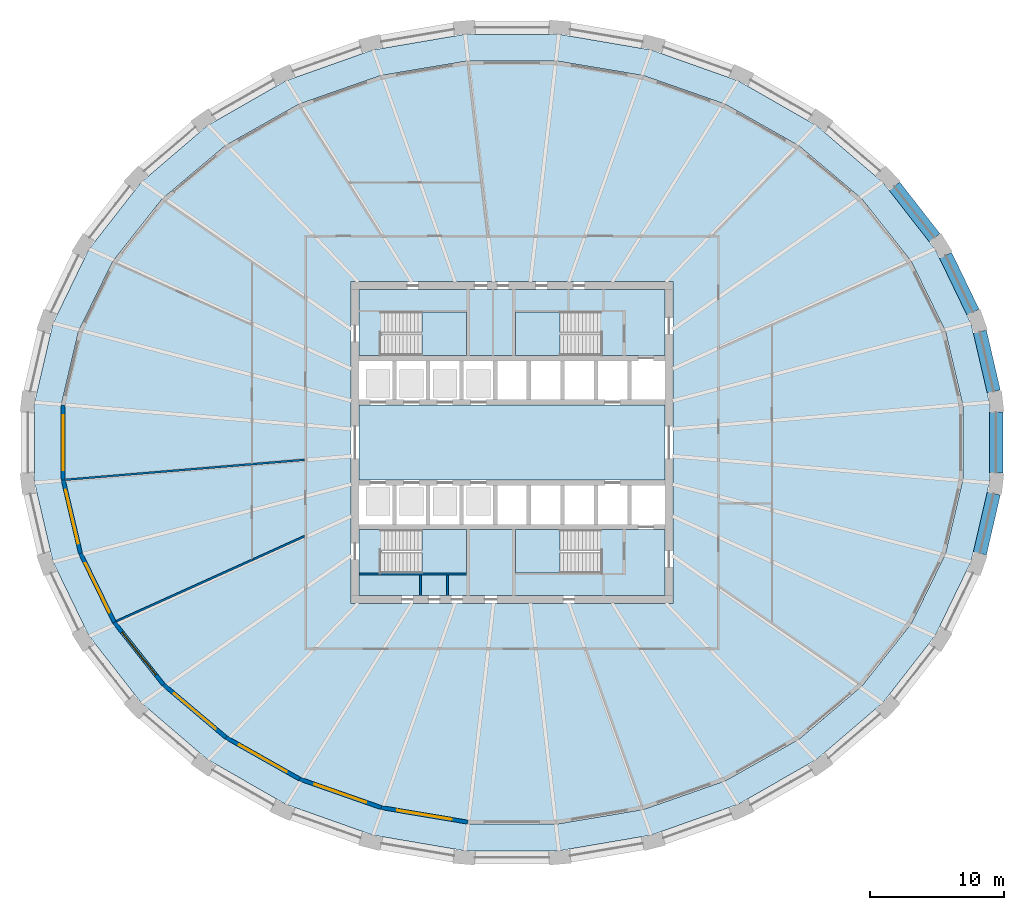
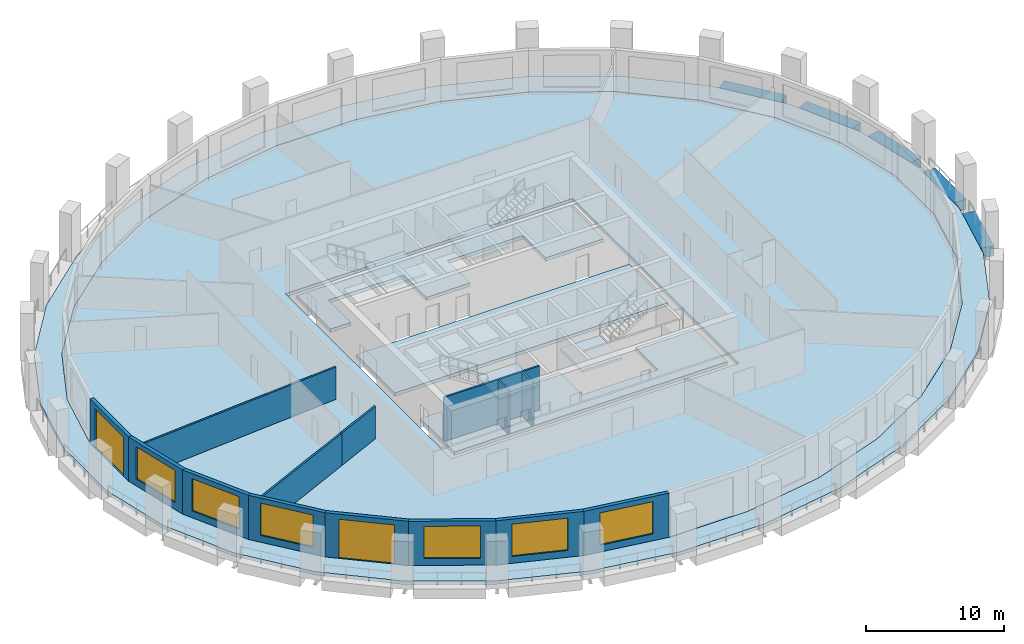
# One storey, part 2 of 10: 14 walls, 9 slabs, 6 windows, 5 beams, 2 doors, 8 openings, 4 elements without a shape of their own.
"""IFC4 building model written with IfcOpenShell, lengths in metres."""

from ifc_helpers import new_model, si_unit, direction, frame, frame_2d, origin, origin_2d, place, context, subcontext, project, spatial, polyline, rectangle, outline, extrude, material, layer, layer_set, material_profile, profile_set, type_object, element, fill, aggregate, save


model = new_model("IFC4")

# Units and contexts
model_context = context("Model", 3, precision=1e-05, world=origin(), true_north=direction((0.0, 1.0)))
body_context = subcontext(model_context, "Body", "Model", "MODEL_VIEW")
ifc_project = project(units=[si_unit("LENGTHUNIT", "METRE"), si_unit("AREAUNIT", "SQUARE_METRE"), si_unit("VOLUMEUNIT", "CUBIC_METRE"), si_unit("PLANEANGLEUNIT", "RADIAN"), si_unit("MASSUNIT", "GRAM", prefix="KILO")], contexts=[model_context])

# Site, building, storey
site_placement = place(None, origin())
site = spatial("IfcSite", under=ifc_project, at=site_placement, CompositionType="ELEMENT")
building_placement = place(site_placement, origin())
building = spatial("IfcBuilding", under=site, at=building_placement, Name="Halqa Exchange Tower", CompositionType="ELEMENT")
storey_placement = place(building_placement, frame((0.0, 0.0, 86.5)))
storey = spatial("IfcBuildingStorey", under=building, at=storey_placement, Name="L19", CompositionType="ELEMENT", Elevation=86.5)

# Beams
ifc_material_1 = material(Name="Concrete C60/75", Category="concrete")
ifc_material_profile = material_profile(ifc_material_1, rectangle(XDim=1.0, YDim=0.89990234375, at=origin_2d()), Name="1000 x 900")
ifc_profile_set = profile_set([ifc_material_profile], Name="Concrete C60/75")
beam_type = type_object("IfcBeamType", Name="RC spandrel beam 1000 x 900 C60/75", PredefinedType="SPANDREL", material=ifc_profile_set)
beam_1_placement = place(storey_placement, frame((35.939208984375, 3.805908203125, -0.449951171875), z_axis=(-0.226091821928, 0.974105994262, 0.0), x_axis=(-0.974105994262, -0.226091821928, 0.0)))
element("IfcBeam", 1, at=beam_1_placement, inside=storey, type_object=beam_type, Name="Spandrel 1", PredefinedType="SPANDREL", context=body_context, shape_type="SweptSolid", body=[
    extrude(rectangle(XDim=1.0, YDim=0.89990234375, at=origin_2d()), origin(), (0.0, 0.0, 1.0), 4.5859375),
])
beam_2_placement = place(storey_placement, frame((34.388671875, 9.7294921875, -0.449951171875), z_axis=(-0.435149722828, 0.900358105824, 0.0), x_axis=(-0.900358105824, -0.435149722828, 0.0)))
element("IfcBeam", 2, at=beam_2_placement, inside=storey, type_object=beam_type, Name="Spandrel 2", PredefinedType="SPANDREL", context=body_context, shape_type="SweptSolid", body=[
    extrude(rectangle(XDim=1.0, YDim=0.89990234375, at=origin_2d()), origin(), (0.0, 0.0, 1.0), 4.70263671875),
])
beam_3_placement = place(storey_placement, frame((31.52783203125, 15.2744140625, -0.449951171875), z_axis=(-0.614817026553, 0.788669781252, 0.0), x_axis=(-0.788669781252, -0.614817026553, 0.0)))
element("IfcBeam", 3, at=beam_3_placement, inside=storey, type_object=beam_type, Name="Spandrel 3", PredefinedType="SPANDREL", context=body_context, shape_type="SweptSolid", body=[
    extrude(rectangle(XDim=1.0, YDim=0.89990234375, at=origin_2d()), origin(), (0.0, 0.0, 1.0), 4.877197265625),
])
beam_4_placement = place(storey_placement, frame((34.90234375, -8.273193359375, -0.449951171875), z_axis=(0.226091821928, 0.974105994262, 0.0), x_axis=(-0.974105994262, 0.226091821928, 0.0)))
element("IfcBeam", 4, at=beam_4_placement, inside=storey, type_object=beam_type, Name="Spandrel 31", PredefinedType="SPANDREL", context=body_context, shape_type="SweptSolid", body=[
    extrude(rectangle(XDim=1.0, YDim=0.89990234375, at=origin_2d()), origin(), (0.0, 0.0, 1.0), 4.5859375),
])
beam_5_placement = place(storey_placement, frame((36.11474609375, -2.271484375, -0.449951171875), z_axis=(0.0, 1.0, 0.0), x_axis=(-1.0, 0.0, 0.0)))
element("IfcBeam", 5, at=beam_5_placement, inside=storey, type_object=beam_type, Name="Spandrel 32", PredefinedType="SPANDREL", context=body_context, shape_type="SweptSolid", body=[
    extrude(rectangle(XDim=1.0, YDim=0.89990234375, at=origin_2d()), origin(), (0.0, 0.0, 1.0), 4.54296875),
])

# Slabs
ifc_layer_1 = layer(ifc_material_1, 0.300048828125)
ifc_layer_set_1 = layer_set([ifc_layer_1], Name="Concrete C60/75")
slab_type_1 = type_object("IfcSlabType", Name="Core floor slab 300", PredefinedType="FLOOR", material=ifc_layer_set_1)
slab_1_placement = place(storey_placement, frame((0.0, 0.0, -0.300048828125)))
element("IfcSlab", 6, at=slab_1_placement, inside=storey, type_object=slab_type_1, Name="Core floor slab", PredefinedType="FLOOR", context=body_context, shape_type="SweptSolid", body=[
    extrude(outline(polyline([(-11.39990234375, 2.800048828125), (11.39990234375, 2.800048828125), (11.39990234375, -2.800048828125), (-11.39990234375, -2.800048828125), (-11.39990234375, 2.800048828125)])), origin(), (0.0, 0.0, 1.0), 0.300048828125),
])
slab_2_placement = place(storey_placement, frame((0.0, 0.0, -0.300048828125)))
element("IfcSlab", 7, at=slab_2_placement, inside=storey, type_object=slab_type_1, Name="Core floor slab", PredefinedType="FLOOR", context=body_context, shape_type="SweptSolid", body=[
    extrude(outline(polyline([(-11.39990234375, 11.39990234375), (11.39990234375, 11.39990234375), (11.39990234375, 6.5), (6.550048828125, 6.5), (6.550048828125, 9.75), (0.25, 9.75), (0.25, 6.5), (-3.39990234375, 6.5), (-3.39990234375, 9.75), (-9.699951171875, 9.75), (-9.699951171875, 6.5), (-11.39990234375, 6.5), (-11.39990234375, 11.39990234375)])), origin(), (0.0, 0.0, 1.0), 0.300048828125),
])
slab_3_placement = place(storey_placement, frame((0.0, 0.0, -0.300048828125)))
element("IfcSlab", 8, at=slab_3_placement, inside=storey, type_object=slab_type_1, Name="Core floor slab", PredefinedType="FLOOR", context=body_context, shape_type="SweptSolid", body=[
    extrude(outline(polyline([(-9.699951171875, -9.75), (-3.39990234375, -9.75), (-3.39990234375, -6.5), (0.25, -6.5), (0.25, -9.75), (6.550048828125, -9.75), (6.550048828125, -6.5), (11.39990234375, -6.5), (11.39990234375, -11.39990234375), (-11.39990234375, -11.39990234375), (-11.39990234375, -6.5), (-9.699951171875, -6.5), (-9.699951171875, -9.75)])), origin(), (0.0, 0.0, 1.0), 0.300048828125),
])
ifc_material_2 = material(Name="Concrete C40/50", Category="concrete")
ifc_layer_2 = layer(ifc_material_2, 0.300048828125)
ifc_layer_set_2 = layer_set([ifc_layer_2], Name="Concrete C40/50")
slab_type_2 = type_object("IfcSlabType", Name="RC floor slab 300", PredefinedType="FLOOR", material=ifc_layer_set_2)
slab_4_placement = place(storey_placement, frame((0.0, 0.0, -0.300048828125)))
element("IfcSlab", 9, at=slab_4_placement, inside=storey, type_object=slab_type_2, Name="Floor slab", PredefinedType="FLOOR", context=body_context, shape_type="SweptSolid", body=[
    extrude(outline(polyline([(33.628173828125, 2.80908203125), (32.331787109375, 8.318115234375), (29.790283203125, 13.50390625), (26.1044921875, 18.16650390625), (21.41748046875, 22.127685546875), (15.9111328125, 25.2373046875), (9.79638671875, 27.378173828125), (3.3076171875, 28.468994140625), (-3.3076171875, 28.468994140625), (-9.79638671875, 27.378173828125), (-15.9111328125, 25.2373046875), (-21.41748046875, 22.127685546875), (-26.1044921875, 18.16650390625), (-29.790283203125, 13.50390625), (-32.331787109375, 8.318115234375), (-33.628173828125, 2.80908203125), (-33.628173828125, -2.80908203125), (-32.331787109375, -8.318115234375), (-29.790283203125, -13.50390625), (-26.1044921875, -18.16650390625), (-21.41748046875, -22.127685546875), (-15.9111328125, -25.2373046875), (-9.79638671875, -27.378173828125), (-3.3076171875, -28.468994140625), (3.3076171875, -28.468994140625), (9.79638671875, -27.378173828125), (15.9111328125, -25.2373046875), (21.41748046875, -22.127685546875), (26.1044921875, -18.16650390625), (29.790283203125, -13.50390625), (32.331787109375, -8.318115234375), (33.628173828125, -2.80908203125), (33.628173828125, 2.80908203125)]), holes=[polyline([(-12.0, -12.0), (12.0, -12.0), (12.0, 12.0), (-12.0, 12.0), (-12.0, -12.0)])]), origin(), (0.0, 0.0, 1.0), 0.300048828125),
])
ifc_layer_3 = layer(ifc_material_2, 0.300048828125)
ifc_layer_set_3 = layer_set([ifc_layer_3], Name="Concrete C40/50")
slab_type_3 = type_object("IfcSlabType", Name="RC loggia slab 300", PredefinedType="FLOOR", material=ifc_layer_set_3)
slab_5_placement = place(storey_placement, frame((0.0, 0.0, -0.300048828125)))
element("IfcSlab", 10, at=slab_5_placement, inside=storey, type_object=slab_type_3, Name="Loggia slab", PredefinedType="FLOOR", context=body_context, shape_type="SweptSolid", body=[
    extrude(outline(polyline([(35.61474609375, 2.99169921875), (35.61474609375, -2.99169921875), (34.25244140625, -8.862060546875), (31.577392578125, -14.3974609375), (27.688720703125, -19.385986328125), (22.732421875, -23.63427734375), (16.897216796875, -26.976318359375), (10.40771484375, -29.2802734375), (3.5146484375, -30.45556640625), (-3.5146484375, -30.45556640625), (-10.40771484375, -29.2802734375), (-16.897216796875, -26.976318359375), (-22.732421875, -23.63427734375), (-27.688720703125, -19.385986328125), (-31.577392578125, -14.3974609375), (-34.25244140625, -8.862060546875), (-35.61474609375, -2.99169921875), (-35.61474609375, 2.99169921875), (-34.25244140625, 8.862060546875), (-31.577392578125, 14.3974609375), (-27.688720703125, 19.385986328125), (-22.732421875, 23.63427734375), (-16.897216796875, 26.976318359375), (-10.40771484375, 29.2802734375), (-3.5146484375, 30.45556640625), (3.5146484375, 30.45556640625), (10.40771484375, 29.2802734375), (16.897216796875, 26.976318359375), (22.732421875, 23.63427734375), (27.688720703125, 19.385986328125), (31.577392578125, 14.3974609375), (34.25244140625, 8.862060546875), (35.61474609375, 2.99169921875)]), holes=[polyline([(33.628173828125, 2.80908203125), (32.331787109375, 8.318115234375), (29.790283203125, 13.50390625), (26.1044921875, 18.16650390625), (21.41748046875, 22.127685546875), (15.9111328125, 25.2373046875), (9.79638671875, 27.378173828125), (3.3076171875, 28.468994140625), (-3.3076171875, 28.468994140625), (-9.79638671875, 27.378173828125), (-15.9111328125, 25.2373046875), (-21.41748046875, 22.127685546875), (-26.1044921875, 18.16650390625), (-29.790283203125, 13.50390625), (-32.331787109375, 8.318115234375), (-33.628173828125, 2.80908203125), (-33.628173828125, -2.80908203125), (-32.331787109375, -8.318115234375), (-29.790283203125, -13.50390625), (-26.1044921875, -18.16650390625), (-21.41748046875, -22.127685546875), (-15.9111328125, -25.2373046875), (-9.79638671875, -27.378173828125), (-3.3076171875, -28.468994140625), (3.3076171875, -28.468994140625), (9.79638671875, -27.378173828125), (15.9111328125, -25.2373046875), (21.41748046875, -22.127685546875), (26.1044921875, -18.16650390625), (29.790283203125, -13.50390625), (32.331787109375, -8.318115234375), (33.628173828125, -2.80908203125), (33.628173828125, 2.80908203125)])]), origin(), (0.0, 0.0, 1.0), 0.300048828125),
])

# Stair, slab
ifc_material_3 = material(Name="Concrete C30/37", Category="concrete")
stair_type = type_object("IfcStairType", Name="Exit stair 1500 wide", PredefinedType="HALF_TURN_STAIR", material=ifc_material_3)
stair_1_placement = place(storey_placement, origin())
stair_1 = element("IfcStair", 11, at=stair_1_placement, inside=storey, type_object=stair_type, Name="Exit stair ST1", PredefinedType="HALF_TURN_STAIR")
ifc_layer_4 = layer(ifc_material_3, 0.199951171875)
ifc_layer_set_4 = layer_set([ifc_layer_4], Name="Concrete C30/37")
slab_type_4 = type_object("IfcSlabType", Name="Stair landing 200 slab", PredefinedType="LANDING", material=ifc_layer_set_4)
slab_6_placement = place(storey_placement, frame((0.0, 0.0, 1.89990234375)))
slab_6 = element("IfcSlab", 12, at=slab_6_placement, type_object=slab_type_4, Name="ST1 landing 1", PredefinedType="LANDING", context=body_context, shape_type="SweptSolid", body=[
    extrude(outline(polyline([(-6.719970703125, 6.5), (-3.39990234375, 6.5), (-3.39990234375, 9.75), (-6.719970703125, 9.75), (-6.719970703125, 6.5)])), origin(), (0.0, 0.0, 1.0), 0.2001953125),
])
aggregate(stair_1, [slab_6])

stair_2_placement = place(storey_placement, origin())
stair_2 = element("IfcStair", 13, at=stair_2_placement, inside=storey, type_object=stair_type, Name="Exit stair ST2", PredefinedType="HALF_TURN_STAIR")
slab_7_placement = place(storey_placement, frame((0.0, 0.0, 1.89990234375)))
slab_7 = element("IfcSlab", 14, at=slab_7_placement, type_object=slab_type_4, Name="ST2 landing 1", PredefinedType="LANDING", context=body_context, shape_type="SweptSolid", body=[
    extrude(outline(polyline([(0.25, 6.5), (3.570068359375, 6.5), (3.570068359375, 9.75), (0.25, 9.75), (0.25, 6.5)])), origin(), (0.0, 0.0, 1.0), 0.2001953125),
])
aggregate(stair_2, [slab_7])

stair_3_placement = place(storey_placement, origin())
stair_3 = element("IfcStair", 15, at=stair_3_placement, inside=storey, type_object=stair_type, Name="Exit stair ST3", PredefinedType="HALF_TURN_STAIR")
slab_8_placement = place(storey_placement, frame((0.0, 0.0, 1.89990234375)))
slab_8 = element("IfcSlab", 16, at=slab_8_placement, type_object=slab_type_4, Name="ST3 landing 1", PredefinedType="LANDING", context=body_context, shape_type="SweptSolid", body=[
    extrude(outline(polyline([(-6.719970703125, -9.75), (-3.39990234375, -9.75), (-3.39990234375, -6.5), (-6.719970703125, -6.5), (-6.719970703125, -9.75)])), origin(), (0.0, 0.0, 1.0), 0.2001953125),
])
aggregate(stair_3, [slab_8])

stair_4_placement = place(storey_placement, origin())
stair_4 = element("IfcStair", 17, at=stair_4_placement, inside=storey, type_object=stair_type, Name="Exit stair ST4", PredefinedType="HALF_TURN_STAIR")
slab_9_placement = place(storey_placement, frame((0.0, 0.0, 1.89990234375)))
slab_9 = element("IfcSlab", 18, at=slab_9_placement, type_object=slab_type_4, Name="ST4 landing 1", PredefinedType="LANDING", context=body_context, shape_type="SweptSolid", body=[
    extrude(outline(polyline([(0.25, -9.75), (3.570068359375, -9.75), (3.570068359375, -6.5), (0.25, -6.5), (0.25, -9.75)])), origin(), (0.0, 0.0, 1.0), 0.2001953125),
])
aggregate(stair_4, [slab_9])

# Walls
ifc_material_4 = material(Name="Fire-rated gypsum board")
ifc_layer_5 = layer(ifc_material_4, 0.14990234375)
ifc_layer_set_5 = layer_set([ifc_layer_5], Name="Fire-rated gypsum board")
wall_type_1 = type_object("IfcWallType", Name="Fire partition EI 60 150", PredefinedType="PARTITIONING", material=ifc_layer_set_5)
wall_1_placement = place(storey_placement, frame((-33.321533203125, -2.774169921875, 0.0), z_axis=(0.0, 0.0, 1.0), x_axis=(0.996543032046, 0.083078187757, 0.0)))
element("IfcWall", 19, at=wall_1_placement, inside=storey, type_object=wall_type_1, Name="L19-PWL-001", PredefinedType="PARTITIONING", context=body_context, shape_type="SweptSolid", body=[
    extrude(outline(polyline([(0.004638671875, -0.074951171875), (1.991455078125, -0.074951171875), (3.978515625, -0.074951171875), (5.965576171875, -0.074951171875), (7.952392578125, -0.074951171875), (9.939453125, -0.074951171875), (11.926513671875, -0.074951171875), (13.913330078125, -0.074951171875), (13.913330078125, -0.074462890625), (13.9189453125, -0.074951171875), (15.91064453125, -0.074951171875), (17.902099609375, -0.074951171875), (17.914306640625, 0.0703125), (17.914306640625, 0.074951171875), (15.97021484375, 0.074951171875), (14.0263671875, 0.074951171875), (14.026123046875, 0.07421875), (14.0166015625, 0.074951171875), (12.2646484375, 0.074951171875), (10.512451171875, 0.074951171875), (8.760498046875, 0.074951171875), (7.00830078125, 0.074951171875), (5.25634765625, 0.074951171875), (3.504150390625, 0.074951171875), (1.752197265625, 0.074951171875), (0.0, 0.074951171875), (0.0, -0.04443359375), (0.004638671875, -0.074951171875)])), origin(), (0.0, 0.0, 1.0), 2.85009765625),
])
wall_2_placement = place(storey_placement, frame((-29.535888671875, -13.34619140625, 0.0), z_axis=(0.0, 0.0, 1.0), x_axis=(0.911414610865, 0.411489255147, 0.0)))
element("IfcWall", 20, at=wall_2_placement, inside=storey, type_object=wall_type_1, Name="L19-PWL-002", PredefinedType="PARTITIONING", context=body_context, shape_type="SweptSolid", body=[
    extrude(outline(polyline([(11.208251953125, -0.074951171875), (11.208251953125, 0.071533203125), (11.1943359375, 0.041015625), (11.175048828125, 0.049560546875), (11.175048828125, 0.049560546875), (11.119140625, 0.074951171875), (9.265869140625, 0.074951171875), (7.41259765625, 0.074951171875), (5.5595703125, 0.074951171875), (3.706298828125, 0.074951171875), (1.853271484375, 0.074951171875), (0.0, 0.074951171875), (0.0, 0.06787109375), (0.001953125, 0.002685546875), (0.021484375, -0.074951171875), (1.885986328125, -0.074951171875), (3.750244140625, -0.074951171875), (5.61474609375, -0.074951171875), (7.479248046875, -0.074951171875), (9.34375, -0.074951171875), (11.208251953125, -0.074951171875)])), origin(), (0.0, 0.0, 1.0), 2.85009765625),
])
wall_3_placement = place(storey_placement, frame((-19.3203125, -8.73388671875, 0.0), z_axis=(0.0, 0.0, 1.0), x_axis=(0.911074570035, 0.412241589162, 0.0)))
element("IfcWall", 21, at=wall_3_placement, inside=storey, type_object=wall_type_1, Name="L19-PWL-004", PredefinedType="PARTITIONING", context=body_context, shape_type="SweptSolid", body=[
    extrude(outline(polyline([(0.0, -0.074951171875), (1.3955078125, -0.074951171875), (2.791259765625, -0.074951171875), (4.186767578125, -0.074951171875), (4.254638671875, 0.074951171875), (2.8369140625, 0.074951171875), (1.419189453125, 0.074951171875), (0.001220703125, 0.074951171875), (0.0, 0.072021484375), (0.0, -0.074951171875)])), origin(), (0.0, 0.0, 1.0), 2.85009765625),
])
ifc_material_5 = material(Name="Gypsum board")
ifc_layer_6 = layer(ifc_material_5, 0.14990234375)
ifc_layer_set_6 = layer_set([ifc_layer_6], Name="Gypsum board")
wall_type_2 = type_object("IfcWallType", Name="Penthouse riser wall 150 gypsum", PredefinedType="PARTITIONING", material=ifc_layer_set_6)
for number, where, z_axis, x_axis, name in (
    (22, (-6.824951171875, -11.39990234375, 0.0), (0.0, 0.0, 1.0), (0.0, 1.0, 0.0), "Partition W6.825 S"),
    (23, (-4.824951171875, -11.39990234375, 0.0), (0.0, 0.0, 1.0), (0.0, 1.0, 0.0), "Partition W4.825 S"),
):
    element("IfcWall", number, at=place(storey_placement, frame(where, z_axis=z_axis, x_axis=x_axis)), inside=storey, type_object=wall_type_2, Name=name, PredefinedType="PARTITIONING", context=body_context, shape_type="SweptSolid", body=[
        extrude(rectangle(XDim=1.5, YDim=0.14990234375, at=frame_2d((0.75, 0.0))), origin(), (0.0, 0.0, 1.0), 3.89990234375),
    ])
ifc_layer_7 = layer(ifc_material_3, 0.14990234375)
ifc_layer_set_7 = layer_set([ifc_layer_7], Name="Concrete C30/37")
wall_type_3 = type_object("IfcWallType", Name="RC stair wall 150 C30/37", PredefinedType="SHEAR", material=ifc_layer_set_7)
wall_4_placement = place(storey_placement, frame((-11.39990234375, -9.824951171875, 0.0), z_axis=(0.0, 0.0, 1.0), x_axis=(1.0, 0.0, 0.0)))
element("IfcWall", 24, at=wall_4_placement, inside=storey, type_object=wall_type_3, Name="Stair ST1 north wall S", PredefinedType="SHEAR", context=body_context, shape_type="SweptSolid", body=[
    extrude(rectangle(XDim=8.0, YDim=0.14990234375, at=frame_2d((4.0, 0.0))), origin(), (0.0, 0.0, 1.0), 3.89990234375),
])

# Wall, opening, door
ifc_material_6 = material(Name="Limestone cladding", Category="masonry")
ifc_layer_8 = layer(ifc_material_6, 0.0400390625)
ifc_material_7 = material(Name="Ventilated cavity")
ifc_layer_9 = layer(ifc_material_7, 0.030029296875, ventilated=True)
ifc_material_8 = material(Name="Mineral wool insulation")
ifc_layer_10 = layer(ifc_material_8, 0.10009765625)
ifc_layer_11 = layer(ifc_material_3, 0.10009765625)
ifc_material_9 = material(Name="Internal plaster")
ifc_layer_12 = layer(ifc_material_9, 0.030029296875)
ifc_layer_set_8 = layer_set([ifc_layer_8, ifc_layer_9, ifc_layer_10, ifc_layer_11, ifc_layer_12], Name="Stone-faced insulated wall 300")
wall_type_4 = type_object("IfcWallType", Name="Stone-faced insulated wall 300", PredefinedType="STANDARD", material=ifc_layer_set_8)
wall_5_placement = place(storey_placement, frame((-33.478271484375, 2.791748046875, 0.0), z_axis=(0.0, 0.0, 1.0), x_axis=(0.0, -1.0, 0.0)))
wall_5 = element("IfcWall", 25, at=wall_5_placement, inside=storey, type_object=wall_type_4, Name="Glass-line wall 16", PredefinedType="STANDARD", context=body_context, shape_type="SweptSolid", body=[
    extrude(outline(polyline([(-0.017333984375, -0.14990234375), (5.600830078125, -0.14990234375), (5.566162109375, 0.14990234375), (0.017333984375, 0.14990234375), (-0.017333984375, -0.14990234375)])), origin(), (0.0, 0.0, 1.0), 3.89990234375),
])
opening_1_placement = place(wall_5_placement, frame((0.74169921875, 0.0, 0.0)))
opening_1 = element("IfcOpeningElement", 26, at=opening_1_placement, cuts=wall_5, Name="Opening LG-F1-04", PredefinedType="OPENING", context=body_context, shape_type="SweptSolid", body=[
    extrude(rectangle(XDim=4.10009765625, YDim=3.449951171875, at=frame_2d((2.050048828125, 1.72509765625))), frame((0.0, 0.162109375, 0.0), z_axis=(0.0, -1.0, 0.0), x_axis=(1.0, 0.0, 0.0)), (0.0, 0.0, 1.0), 0.323974609375),
])
ifc_material_10 = material(Name="Clear low-emissivity glass in aluminium frame", Category="aluminium")
door_type = type_object("IfcDoorType", Name="Glazed sliding loggia door 4100 x 3450", OperationType="DOUBLE_DOOR_SLIDING", PredefinedType="DOOR", material=ifc_material_10)
door_1_placement = place(opening_1_placement, origin())
door_1 = element("IfcDoor", 27, at=door_1_placement, inside=storey, type_object=door_type, Name="Loggia door 4", OperationType="DOUBLE_DOOR_SLIDING", OverallHeight=3.449951171875, OverallWidth=4.10009765625, PredefinedType="DOOR", context=body_context, shape_type="SweptSolid", body=[
    extrude(rectangle(XDim=4.10009765625, YDim=3.449951171875, at=frame_2d((2.050048828125, 1.72509765625))), frame((0.0, 0.02490234375, 0.0), z_axis=(0.0, -1.0, 0.0), x_axis=(1.0, 0.0, 0.0)), (0.0, 0.0, 1.0), 0.050048828125),
])
fill(opening_1, door_1)

# Wall, opening, window
wall_6_placement = place(storey_placement, frame((-33.478271484375, -2.791748046875, 0.0), z_axis=(0.0, 0.0, 1.0), x_axis=(0.229073200999, -0.973409198941, 0.0)))
wall_6 = element("IfcWall", 28, at=wall_6_placement, inside=storey, type_object=wall_type_4, Name="Glass-line wall 17", PredefinedType="STANDARD", context=body_context, shape_type="SweptSolid", body=[
    extrude(outline(polyline([(-0.017333984375, -0.14990234375), (5.64208984375, -0.14990234375), (5.6083984375, 0.14990234375), (0.017333984375, 0.14990234375), (-0.017333984375, -0.14990234375)])), origin(), (0.0, 0.0, 1.0), 3.89990234375),
])
opening_2_placement = place(wall_6_placement, frame((0.7626953125, 0.0, 0.60009765625)))
opening_2 = element("IfcOpeningElement", 29, at=opening_2_placement, cuts=wall_6, Name="Opening W-F1-17", PredefinedType="OPENING", context=body_context, shape_type="SweptSolid", body=[
    extrude(rectangle(XDim=4.10009765625, YDim=2.85009765625, at=frame_2d((2.050048828125, 1.425048828125))), frame((0.0, 0.162109375, 0.0), z_axis=(0.0, -1.0, 0.0), x_axis=(1.0, 0.0, 0.0)), (0.0, 0.0, 1.0), 0.323974609375),
])
window_type = type_object("IfcWindowType", Name="Fixed clear glazed window 4100 x 2850", PartitioningType="TRIPLE_PANEL_VERTICAL", PredefinedType="WINDOW", material=ifc_material_10)
window_1_placement = place(opening_2_placement, origin())
window_1 = element("IfcWindow", 30, at=window_1_placement, inside=storey, type_object=window_type, Name="Window 1", OverallHeight=2.85009765625, OverallWidth=4.10009765625, PartitioningType="TRIPLE_PANEL_VERTICAL", PredefinedType="WINDOW", context=body_context, shape_type="SweptSolid", body=[
    extrude(rectangle(XDim=4.10009765625, YDim=2.85009765625, at=frame_2d((2.050048828125, 1.425048828125))), frame((0.0, 0.030029296875, 0.0), z_axis=(0.0, -1.0, 0.0), x_axis=(1.0, 0.0, 0.0)), (0.0, 0.0, 1.0), 0.06005859375),
])
fill(opening_2, window_1)

wall_7_placement = place(storey_placement, frame((-32.189697265625, -8.267333984375, 0.0), z_axis=(0.0, 0.0, 1.0), x_axis=(0.44010747541, -0.897945104162, 0.0)))
wall_7 = element("IfcWall", 31, at=wall_7_placement, inside=storey, type_object=wall_type_4, Name="Glass-line wall 18", PredefinedType="STANDARD", context=body_context, shape_type="SweptSolid", body=[
    extrude(outline(polyline([(-0.016845703125, -0.14990234375), (5.758056640625, -0.14990234375), (5.725830078125, 0.14990234375), (0.016845703125, 0.14990234375), (-0.016845703125, -0.14990234375)])), origin(), (0.0, 0.0, 1.0), 3.89990234375),
])
opening_3_placement = place(wall_7_placement, frame((0.821044921875, 0.0, 0.60009765625)))
opening_3 = element("IfcOpeningElement", 32, at=opening_3_placement, cuts=wall_7, Name="Opening W-F1-18", PredefinedType="OPENING", context=body_context, shape_type="SweptSolid", body=[
    extrude(rectangle(XDim=4.10009765625, YDim=2.85009765625, at=frame_2d((2.050048828125, 1.425048828125))), frame((0.0, 0.162109375, 0.0), z_axis=(0.0, -1.0, 0.0), x_axis=(1.0, 0.0, 0.0)), (0.0, 0.0, 1.0), 0.323974609375),
])
window_2_placement = place(opening_3_placement, origin())
window_2 = element("IfcWindow", 33, at=window_2_placement, inside=storey, type_object=window_type, Name="Window 1", OverallHeight=2.85009765625, OverallWidth=4.10009765625, PartitioningType="TRIPLE_PANEL_VERTICAL", PredefinedType="WINDOW", context=body_context, shape_type="SweptSolid", body=[
    extrude(rectangle(XDim=4.10009765625, YDim=2.85009765625, at=frame_2d((2.050048828125, 1.425048828125))), frame((0.0, 0.030029296875, 0.0), z_axis=(0.0, -1.0, 0.0), x_axis=(1.0, 0.0, 0.0)), (0.0, 0.0, 1.0), 0.06005859375),
])
fill(opening_3, window_2)

wall_8_placement = place(storey_placement, frame((-29.66259765625, -13.42333984375, 0.0), z_axis=(0.0, 0.0, 1.0), x_axis=(0.620142219764, -0.784489405452, 0.0)))
wall_8 = element("IfcWall", 34, at=wall_8_placement, inside=storey, type_object=wall_type_4, Name="Glass-line wall 19", PredefinedType="STANDARD", context=body_context, shape_type="SweptSolid", body=[
    extrude(outline(polyline([(-0.01611328125, -0.14990234375), (5.927490234375, -0.14990234375), (5.897216796875, 0.14990234375), (0.01611328125, 0.14990234375), (-0.01611328125, -0.14990234375)])), origin(), (0.0, 0.0, 1.0), 3.89990234375),
])
opening_4_placement = place(wall_8_placement, frame((0.90625, 0.0, 0.60009765625)))
opening_4 = element("IfcOpeningElement", 35, at=opening_4_placement, cuts=wall_8, Name="Opening W-F1-19", PredefinedType="OPENING", context=body_context, shape_type="SweptSolid", body=[
    extrude(rectangle(XDim=4.10009765625, YDim=2.85009765625, at=frame_2d((2.050048828125, 1.425048828125))), frame((0.0, 0.162109375, 0.0), z_axis=(0.0, -1.0, 0.0), x_axis=(1.0, 0.0, 0.0)), (0.0, 0.0, 1.0), 0.323974609375),
])
window_3_placement = place(opening_4_placement, origin())
window_3 = element("IfcWindow", 36, at=window_3_placement, inside=storey, type_object=window_type, Name="Window 1", OverallHeight=2.85009765625, OverallWidth=4.10009765625, PartitioningType="TRIPLE_PANEL_VERTICAL", PredefinedType="WINDOW", context=body_context, shape_type="SweptSolid", body=[
    extrude(rectangle(XDim=4.10009765625, YDim=2.85009765625, at=frame_2d((2.050048828125, 1.425048828125))), frame((0.0, 0.030029296875, 0.0), z_axis=(0.0, -1.0, 0.0), x_axis=(1.0, 0.0, 0.0)), (0.0, 0.0, 1.0), 0.06005859375),
])
fill(opening_4, window_3)

# Wall, opening, door
wall_9_placement = place(storey_placement, frame((-25.99609375, -18.0615234375, 0.0), z_axis=(0.0, 0.0, 1.0), x_axis=(0.763753100684, -0.645508482667, 0.0)))
wall_9 = element("IfcWall", 37, at=wall_9_placement, inside=storey, type_object=wall_type_4, Name="Glass-line wall 20", PredefinedType="STANDARD", context=body_context, shape_type="SweptSolid", body=[
    extrude(outline(polyline([(-0.01513671875, -0.14990234375), (6.12158203125, -0.14990234375), (6.09326171875, 0.14990234375), (0.01513671875, 0.14990234375), (-0.01513671875, -0.14990234375)])), origin(), (0.0, 0.0, 1.0), 3.89990234375),
])
opening_5_placement = place(wall_9_placement, frame((1.003662109375, 0.0, 0.0)))
opening_5 = element("IfcOpeningElement", 38, at=opening_5_placement, cuts=wall_9, Name="Opening LG-F1-05", PredefinedType="OPENING", context=body_context, shape_type="SweptSolid", body=[
    extrude(rectangle(XDim=4.10009765625, YDim=3.449951171875, at=frame_2d((2.050048828125, 1.72509765625))), frame((0.0, 0.162109375, 0.0), z_axis=(0.0, -1.0, 0.0), x_axis=(1.0, 0.0, 0.0)), (0.0, 0.0, 1.0), 0.323974609375),
])
door_2_placement = place(opening_5_placement, origin())
door_2 = element("IfcDoor", 39, at=door_2_placement, inside=storey, type_object=door_type, Name="Loggia door 5", OperationType="DOUBLE_DOOR_SLIDING", OverallHeight=3.449951171875, OverallWidth=4.10009765625, PredefinedType="DOOR", context=body_context, shape_type="SweptSolid", body=[
    extrude(rectangle(XDim=4.10009765625, YDim=3.449951171875, at=frame_2d((2.050048828125, 1.72509765625))), frame((0.0, 0.02490234375, 0.0), z_axis=(0.0, -1.0, 0.0), x_axis=(1.0, 0.0, 0.0)), (0.0, 0.0, 1.0), 0.050048828125),
])
fill(opening_5, door_2)

# Wall, opening, window
wall_10_placement = place(storey_placement, frame((-21.33154296875, -22.00390625, 0.0), z_axis=(0.0, 0.0, 1.0), x_axis=(0.870737550302, -0.491748023376, 0.0)))
wall_10 = element("IfcWall", 40, at=wall_10_placement, inside=storey, type_object=wall_type_4, Name="Glass-line wall 21", PredefinedType="STANDARD", context=body_context, shape_type="SweptSolid", body=[
    extrude(outline(polyline([(-0.01416015625, -0.14990234375), (6.309814453125, -0.14990234375), (6.282958984375, 0.14990234375), (0.01416015625, 0.14990234375), (-0.01416015625, -0.14990234375)])), origin(), (0.0, 0.0, 1.0), 3.89990234375),
])
opening_6_placement = place(wall_10_placement, frame((1.09814453125, 0.0, 0.60009765625)))
opening_6 = element("IfcOpeningElement", 41, at=opening_6_placement, cuts=wall_10, Name="Opening W-F1-21", PredefinedType="OPENING", context=body_context, shape_type="SweptSolid", body=[
    extrude(rectangle(XDim=4.10009765625, YDim=2.85009765625, at=frame_2d((2.050048828125, 1.425048828125))), frame((0.0, 0.162109375, 0.0), z_axis=(0.0, -1.0, 0.0), x_axis=(1.0, 0.0, 0.0)), (0.0, 0.0, 1.0), 0.323974609375),
])
window_4_placement = place(opening_6_placement, origin())
window_4 = element("IfcWindow", 42, at=window_4_placement, inside=storey, type_object=window_type, Name="Window 1", OverallHeight=2.85009765625, OverallWidth=4.10009765625, PartitioningType="TRIPLE_PANEL_VERTICAL", PredefinedType="WINDOW", context=body_context, shape_type="SweptSolid", body=[
    extrude(rectangle(XDim=4.10009765625, YDim=2.85009765625, at=frame_2d((2.050048828125, 1.425048828125))), frame((0.0, 0.030029296875, 0.0), z_axis=(0.0, -1.0, 0.0), x_axis=(1.0, 0.0, 0.0)), (0.0, 0.0, 1.0), 0.06005859375),
])
fill(opening_6, window_4)

wall_11_placement = place(storey_placement, frame((-15.84912109375, -25.10009765625, 0.0), z_axis=(0.0, 0.0, 1.0), x_axis=(0.943820008365, -0.330459970057, 0.0)))
wall_11 = element("IfcWall", 43, at=wall_11_placement, inside=storey, type_object=wall_type_4, Name="Glass-line wall 22", PredefinedType="STANDARD", context=body_context, shape_type="SweptSolid", body=[
    extrude(outline(polyline([(-0.013427734375, -0.14990234375), (6.46533203125, -0.14990234375), (6.43994140625, 0.14990234375), (0.013427734375, 0.14990234375), (-0.013427734375, -0.14990234375)])), origin(), (0.0, 0.0, 1.0), 3.89990234375),
])
opening_7_placement = place(wall_11_placement, frame((1.17626953125, 0.0, 0.60009765625)))
opening_7 = element("IfcOpeningElement", 44, at=opening_7_placement, cuts=wall_11, Name="Opening W-F1-22", PredefinedType="OPENING", context=body_context, shape_type="SweptSolid", body=[
    extrude(rectangle(XDim=4.10009765625, YDim=2.85009765625, at=frame_2d((2.050048828125, 1.425048828125))), frame((0.0, 0.162109375, 0.0), z_axis=(0.0, -1.0, 0.0), x_axis=(1.0, 0.0, 0.0)), (0.0, 0.0, 1.0), 0.323974609375),
])
window_5_placement = place(opening_7_placement, origin())
window_5 = element("IfcWindow", 45, at=window_5_placement, inside=storey, type_object=window_type, Name="Window 1", OverallHeight=2.85009765625, OverallWidth=4.10009765625, PartitioningType="TRIPLE_PANEL_VERTICAL", PredefinedType="WINDOW", context=body_context, shape_type="SweptSolid", body=[
    extrude(rectangle(XDim=4.10009765625, YDim=2.85009765625, at=frame_2d((2.050048828125, 1.425048828125))), frame((0.0, 0.030029296875, 0.0), z_axis=(0.0, -1.0, 0.0), x_axis=(1.0, 0.0, 0.0)), (0.0, 0.0, 1.0), 0.06005859375),
])
fill(opening_7, window_5)

wall_12_placement = place(storey_placement, frame((-9.759033203125, -27.232421875, 0.0), z_axis=(0.0, 0.0, 1.0), x_axis=(0.986162431544, -0.165781961053, 0.0)))
wall_12 = element("IfcWall", 46, at=wall_12_placement, inside=storey, type_object=wall_type_4, Name="Glass-line wall 23", PredefinedType="STANDARD", context=body_context, shape_type="SweptSolid", body=[
    extrude(outline(polyline([(-0.0126953125, -0.14990234375), (6.5673828125, -0.14990234375), (6.54248046875, 0.14990234375), (0.0126953125, 0.14990234375), (-0.0126953125, -0.14990234375)])), origin(), (0.0, 0.0, 1.0), 3.89990234375),
])
opening_8_placement = place(wall_12_placement, frame((1.227294921875, 0.0, 0.60009765625)))
opening_8 = element("IfcOpeningElement", 47, at=opening_8_placement, cuts=wall_12, Name="Opening W-F1-23", PredefinedType="OPENING", context=body_context, shape_type="SweptSolid", body=[
    extrude(rectangle(XDim=4.10009765625, YDim=2.85009765625, at=frame_2d((2.050048828125, 1.425048828125))), frame((0.0, 0.162109375, 0.0), z_axis=(0.0, -1.0, 0.0), x_axis=(1.0, 0.0, 0.0)), (0.0, 0.0, 1.0), 0.323974609375),
])
window_6_placement = place(opening_8_placement, origin())
window_6 = element("IfcWindow", 48, at=window_6_placement, inside=storey, type_object=window_type, Name="Window 1", OverallHeight=2.85009765625, OverallWidth=4.10009765625, PartitioningType="TRIPLE_PANEL_VERTICAL", PredefinedType="WINDOW", context=body_context, shape_type="SweptSolid", body=[
    extrude(rectangle(XDim=4.10009765625, YDim=2.85009765625, at=frame_2d((2.050048828125, 1.425048828125))), frame((0.0, 0.030029296875, 0.0), z_axis=(0.0, -1.0, 0.0), x_axis=(1.0, 0.0, 0.0)), (0.0, 0.0, 1.0), 0.06005859375),
])
fill(opening_8, window_6)

save(model, "model.ifc")
